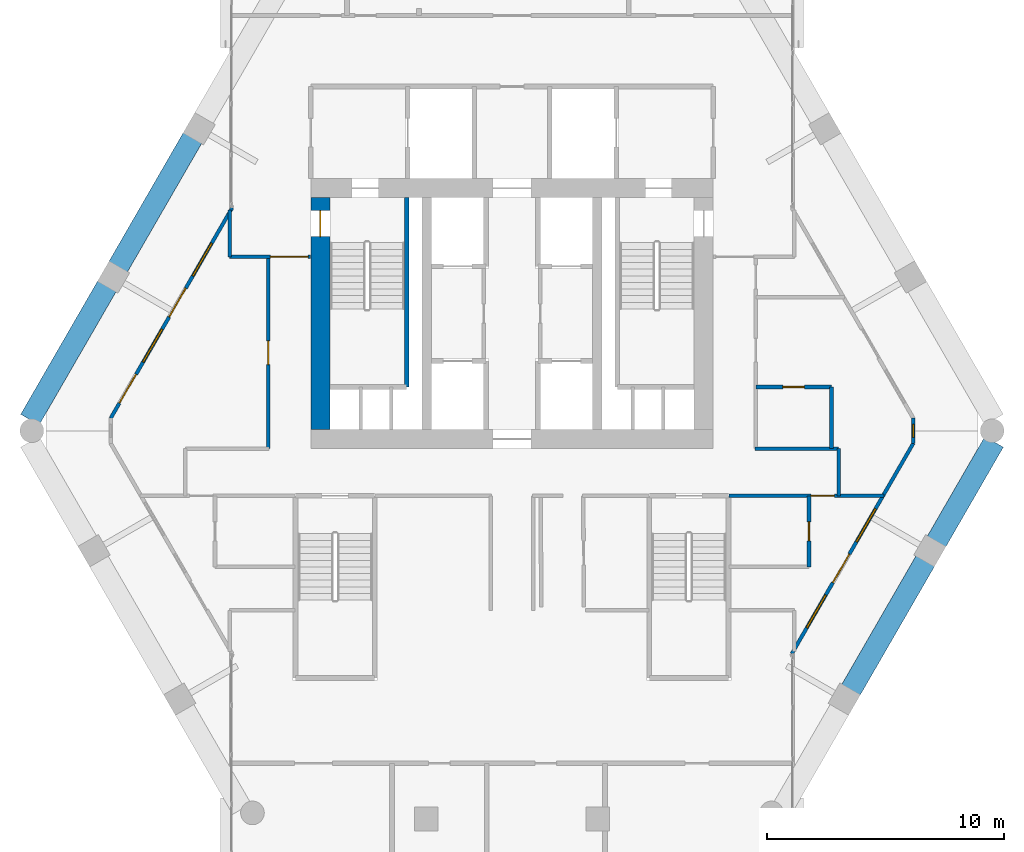
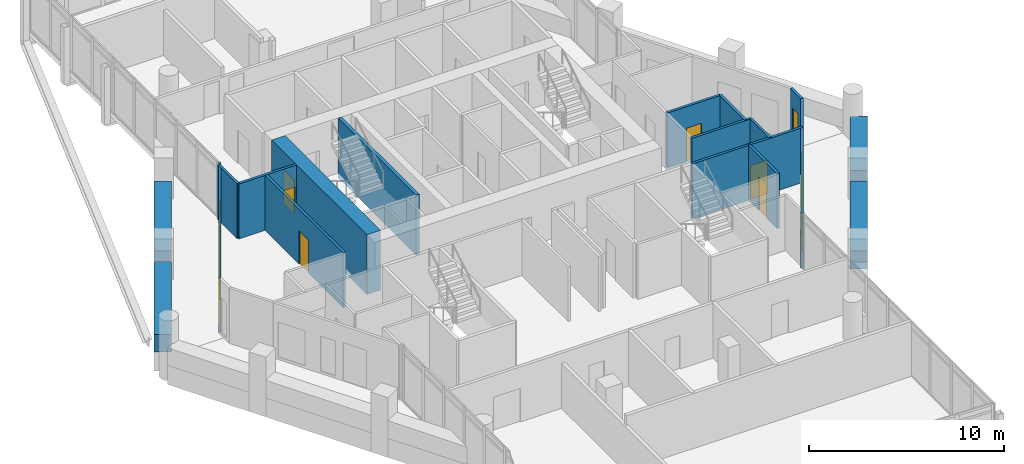
# One storey, part 33 of 38: 18 walls, 9 doors, 5 windows, 14 openings.
"""IFC4 building model written with IfcOpenShell, lengths in metres."""

from ifc_helpers import new_model, si_unit, direction, frame, frame_2d, origin, place, context, subcontext, project, spatial, rectangle, extrude, material, layer, layer_set, type_object, element, fill, save


model = new_model("IFC4")

# Units and contexts
model_context = context("Model", 3, precision=1e-05, world=origin(), true_north=direction((0.0, 1.0)))
body_context = subcontext(model_context, "Body", "Model", "MODEL_VIEW")
ifc_project = project(units=[si_unit("LENGTHUNIT", "METRE"), si_unit("AREAUNIT", "SQUARE_METRE"), si_unit("VOLUMEUNIT", "CUBIC_METRE"), si_unit("PLANEANGLEUNIT", "RADIAN"), si_unit("MASSUNIT", "GRAM", prefix="KILO")], contexts=[model_context])

# Site, building, storey
site_placement = place(None, origin())
site = spatial("IfcSite", under=ifc_project, at=site_placement, CompositionType="ELEMENT")
building_placement = place(site_placement, origin())
building = spatial("IfcBuilding", under=site, at=building_placement, Name="Ostrander Bayou Hotel Tower", CompositionType="ELEMENT")
storey_placement = place(building_placement, frame((0.0, 0.0, 194.5)))
storey = spatial("IfcBuildingStorey", under=building, at=storey_placement, Name="L48", CompositionType="ELEMENT", Elevation=194.5)

# Wall, opening, door
ifc_material_1 = material(Name="Concrete f'c 60 MPa", Category="concrete")
ifc_layer_1 = layer(ifc_material_1, 0.800048828125)
ifc_layer_set_1 = layer_set([ifc_layer_1], Name="CW8 core spine wall 800 mm f'c 60 MPa")
wall_type_1 = type_object("IfcWallType", Name="CW8 core spine wall 800 mm f'c 60 MPa", PredefinedType="SHEAR", material=ifc_layer_set_1)
wall_1_placement = place(storey_placement, frame((-8.10009765625, -0.89990234375, -0.300048828125), z_axis=(0.0, 0.0, 1.0), x_axis=(0.0, 1.0, 0.0)))
wall_1 = element("IfcWall", 1, at=wall_1_placement, inside=storey, type_object=wall_type_1, Name="CW8 L48 W", PredefinedType="SHEAR", context=body_context, shape_type="SweptSolid", body=[
    extrude(rectangle(XDim=9.7998046875, YDim=0.800048828125, at=frame_2d((4.89990234375, 0.0))), origin(), (0.0, 0.0, 1.0), 3.75),
])
opening_1_placement = place(wall_1_placement, frame((8.14990234375, 0.0, 0.0)))
opening_1 = element("IfcOpeningElement", 2, at=opening_1_placement, cuts=wall_1, Name="Opening T48-008", PredefinedType="OPENING", context=body_context, shape_type="SweptSolid", body=[
    extrude(rectangle(XDim=1.10009765625, YDim=2.10009765625, at=frame_2d((0.550048828125, 1.050048828125))), frame((0.0, 0.39990234375, 0.0), z_axis=(0.0, -1.0, 0.0), x_axis=(1.0, 0.0, 0.0)), (0.0, 0.0, 1.0), 0.800048828125),
])
ifc_material_2 = material(Name="Timber door leaf", Category="wood")
door_type_1 = type_object("IfcDoorType", Name="D5 stair door 1100 x 2100 mm, 90 minute", OperationType="SINGLE_SWING_LEFT", PredefinedType="DOOR", material=ifc_material_2)
door_1_placement = place(opening_1_placement, origin())
door_1 = element("IfcDoor", 3, at=door_1_placement, inside=storey, type_object=door_type_1, Name="dr:L48:008", OperationType="SINGLE_SWING_RIGHT", OverallHeight=2.10009765625, OverallWidth=1.10009765625, PredefinedType="DOOR", context=body_context, shape_type="SweptSolid", body=[
    extrude(rectangle(XDim=1.10009765625, YDim=2.10009765625, at=frame_2d((0.550048828125, 1.050048828125))), frame((0.0, 0.02490234375, 0.0), z_axis=(0.0, -1.0, 0.0), x_axis=(1.0, 0.0, 0.0)), (0.0, 0.0, 1.0), 0.050048828125),
])
fill(opening_1, door_1)

# Wall, openings, doors, windows
ifc_material_3 = material(Name="Aluminium framed insulated wall", Category="aluminium")
ifc_layer_2 = layer(ifc_material_3, 0.14990234375)
ifc_layer_set_2 = layer_set([ifc_layer_2], Name="GW1 glass-line wall 150 mm")
wall_type_2 = type_object("IfcWallType", Name="GW1 glass-line wall 150 mm", PredefinedType="SOLIDWALL", material=ifc_layer_set_2)
wall_2_placement = place(storey_placement, frame((-11.823974609375, 8.471923828125, 0.0), z_axis=(0.0, 0.0, 1.0), x_axis=(-0.499996992154, -0.866027140358, 0.0)))
wall_2 = element("IfcWall", 4, at=wall_2_placement, inside=storey, type_object=wall_type_2, Name="GW1 L48 NW 1", PredefinedType="SOLIDWALL", context=body_context, shape_type="SweptSolid", body=[
    extrude(rectangle(XDim=10.263671875, YDim=0.14990234375, at=frame_2d((5.1318359375, 0.0))), origin(), (0.0, 0.0, 1.0), 3.449951171875),
])
opening_2_placement = place(wall_2_placement, frame((1.72509765625, 0.0, 0.14990234375)))
opening_2 = element("IfcOpeningElement", 5, at=opening_2_placement, cuts=wall_2, Name="Opening W9", PredefinedType="OPENING", context=body_context, shape_type="SweptSolid", body=[
    extrude(rectangle(XDim=1.60009765625, YDim=2.199951171875, at=frame_2d((0.800048828125, 1.10009765625))), frame((0.0, 0.074951171875, 0.0), z_axis=(0.0, -1.0, 0.0), x_axis=(1.0, 0.0, 0.0)), (0.0, 0.0, 1.0), 0.14990234375),
])
opening_3_placement = place(wall_2_placement, frame((3.925048828125, 0.0, 0.0)))
opening_3 = element("IfcOpeningElement", 6, at=opening_3_placement, cuts=wall_2, Name="Opening T48-800", PredefinedType="OPENING", context=body_context, shape_type="SweptSolid", body=[
    extrude(rectangle(XDim=1.39990234375, YDim=2.39990234375, at=frame_2d((0.699951171875, 1.199951171875))), frame((0.0, 0.074951171875, 0.0), z_axis=(0.0, -1.0, 0.0), x_axis=(1.0, 0.0, 0.0)), (0.0, 0.0, 1.0), 0.14990234375),
])
opening_4_placement = place(wall_2_placement, frame((5.925048828125, 0.0, 0.14990234375)))
opening_4 = element("IfcOpeningElement", 7, at=opening_4_placement, cuts=wall_2, Name="Opening W9", PredefinedType="OPENING", context=body_context, shape_type="SweptSolid", body=[
    extrude(rectangle(XDim=1.60009765625, YDim=2.199951171875, at=frame_2d((0.800048828125, 1.10009765625))), frame((0.0, 0.074951171875, 0.0), z_axis=(0.0, -1.0, 0.0), x_axis=(1.0, 0.0, 0.0)), (0.0, 0.0, 1.0), 0.14990234375),
])
opening_5_placement = place(wall_2_placement, frame((8.125, 0.0, 0.0)))
opening_5 = element("IfcOpeningElement", 8, at=opening_5_placement, cuts=wall_2, Name="Opening T48-801", PredefinedType="OPENING", context=body_context, shape_type="SweptSolid", body=[
    extrude(rectangle(XDim=1.39990234375, YDim=2.39990234375, at=frame_2d((0.699951171875, 1.199951171875))), frame((0.0, 0.074951171875, 0.0), z_axis=(0.0, -1.0, 0.0), x_axis=(1.0, 0.0, 0.0)), (0.0, 0.0, 1.0), 0.14990234375),
])
ifc_material_4 = material(Name="Aluminium and clear glass", Category="aluminium")
door_type_2 = type_object("IfcDoorType", Name="SD3 sliding glass door 1400 mm, zone 3", OperationType="SLIDING_TO_LEFT", PredefinedType="DOOR", material=ifc_material_4)
door_2_placement = place(opening_3_placement, origin())
door_2 = element("IfcDoor", 9, at=door_2_placement, inside=storey, type_object=door_type_2, Name="SD3 L48 NW 3", OperationType="SLIDING_TO_LEFT", OverallHeight=2.39990234375, OverallWidth=1.39990234375, PredefinedType="DOOR", context=body_context, shape_type="SweptSolid", body=[
    extrude(rectangle(XDim=1.39990234375, YDim=2.39990234375, at=frame_2d((0.699951171875, 1.199951171875))), frame((0.0, 0.02490234375, 0.0), z_axis=(0.0, -1.0, 0.0), x_axis=(1.0, 0.0, 0.0)), (0.0, 0.0, 1.0), 0.050048828125),
])
fill(opening_3, door_2)
door_3_placement = place(opening_5_placement, origin())
door_3 = element("IfcDoor", 10, at=door_3_placement, inside=storey, type_object=door_type_2, Name="SD3 L48 NW 4", OperationType="SLIDING_TO_RIGHT", OverallHeight=2.39990234375, OverallWidth=1.39990234375, PredefinedType="DOOR", context=body_context, shape_type="SweptSolid", body=[
    extrude(rectangle(XDim=1.39990234375, YDim=2.39990234375, at=frame_2d((0.699951171875, 1.199951171875))), frame((0.0, 0.02490234375, 0.0), z_axis=(0.0, -1.0, 0.0), x_axis=(1.0, 0.0, 0.0)), (0.0, 0.0, 1.0), 0.050048828125),
])
fill(opening_5, door_3)
ifc_material_5 = material(Name="Aluminium and clear glass", Category="aluminium")
window_type_1 = type_object("IfcWindowType", Name="W9 fixed window 1600 mm, bar storeys, zone 3", PartitioningType="SINGLE_PANEL", PredefinedType="WINDOW", material=ifc_material_5)
window_1_placement = place(opening_2_placement, origin())
window_1 = element("IfcWindow", 11, at=window_1_placement, inside=storey, type_object=window_type_1, Name="W9 L48 NW 3", OverallHeight=2.199951171875, OverallWidth=1.60009765625, PartitioningType="SINGLE_PANEL", PredefinedType="WINDOW", context=body_context, shape_type="SweptSolid", body=[
    extrude(rectangle(XDim=1.60009765625, YDim=2.199951171875, at=frame_2d((0.800048828125, 1.10009765625))), frame((0.0, 0.030029296875, 0.0), z_axis=(0.0, -1.0, 0.0), x_axis=(1.0, 0.0, 0.0)), (0.0, 0.0, 1.0), 0.06005859375),
])
fill(opening_2, window_1)
window_2_placement = place(opening_4_placement, origin())
window_2 = element("IfcWindow", 12, at=window_2_placement, inside=storey, type_object=window_type_1, Name="W9 L48 NW 4", OverallHeight=2.199951171875, OverallWidth=1.60009765625, PartitioningType="SINGLE_PANEL", PredefinedType="WINDOW", context=body_context, shape_type="SweptSolid", body=[
    extrude(rectangle(XDim=1.60009765625, YDim=2.199951171875, at=frame_2d((0.800048828125, 1.10009765625))), frame((0.0, 0.030029296875, 0.0), z_axis=(0.0, -1.0, 0.0), x_axis=(1.0, 0.0, 0.0)), (0.0, 0.0, 1.0), 0.06005859375),
])
fill(opening_4, window_2)

# Wall, openings, door, windows
wall_3_placement = place(storey_placement, frame((11.823974609375, -10.370361328125, 0.0), z_axis=(0.0, 0.0, 1.0), x_axis=(0.499996992154, 0.866027140358, 0.0)))
wall_3 = element("IfcWall", 13, at=wall_3_placement, inside=storey, type_object=wall_type_2, Name="GW1 L48 SE 1", PredefinedType="SOLIDWALL", context=body_context, shape_type="SweptSolid", body=[
    extrude(rectangle(XDim=10.263671875, YDim=0.14990234375, at=frame_2d((5.1318359375, 0.0))), origin(), (0.0, 0.0, 1.0), 3.449951171875),
])
opening_6_placement = place(wall_3_placement, frame((1.26904296875, 0.0, 0.14990234375)))
opening_6 = element("IfcOpeningElement", 14, at=opening_6_placement, cuts=wall_3, Name="Opening W9", PredefinedType="OPENING", context=body_context, shape_type="SweptSolid", body=[
    extrude(rectangle(XDim=1.60009765625, YDim=2.199951171875, at=frame_2d((0.800048828125, 1.10009765625))), frame((0.0, 0.074951171875, 0.0), z_axis=(0.0, -1.0, 0.0), x_axis=(1.0, 0.0, 0.0)), (0.0, 0.0, 1.0), 0.14990234375),
])
opening_7_placement = place(wall_3_placement, frame((3.468994140625, 0.0, 0.0)))
opening_7 = element("IfcOpeningElement", 15, at=opening_7_placement, cuts=wall_3, Name="Opening T48-803", PredefinedType="OPENING", context=body_context, shape_type="SweptSolid", body=[
    extrude(rectangle(XDim=1.39990234375, YDim=2.39990234375, at=frame_2d((0.699951171875, 1.199951171875))), frame((0.0, 0.074951171875, 0.0), z_axis=(0.0, -1.0, 0.0), x_axis=(1.0, 0.0, 0.0)), (0.0, 0.0, 1.0), 0.14990234375),
])
opening_8_placement = place(wall_3_placement, frame((5.468994140625, 0.0, 0.14990234375)))
opening_8 = element("IfcOpeningElement", 16, at=opening_8_placement, cuts=wall_3, Name="Opening W9", PredefinedType="OPENING", context=body_context, shape_type="SweptSolid", body=[
    extrude(rectangle(XDim=1.60009765625, YDim=2.199951171875, at=frame_2d((0.800048828125, 1.10009765625))), frame((0.0, 0.074951171875, 0.0), z_axis=(0.0, -1.0, 0.0), x_axis=(1.0, 0.0, 0.0)), (0.0, 0.0, 1.0), 0.14990234375),
])
door_4_placement = place(opening_7_placement, origin())
door_4 = element("IfcDoor", 17, at=door_4_placement, inside=storey, type_object=door_type_2, Name="SD3 L48 SE 2", OperationType="SLIDING_TO_RIGHT", OverallHeight=2.39990234375, OverallWidth=1.39990234375, PredefinedType="DOOR", context=body_context, shape_type="SweptSolid", body=[
    extrude(rectangle(XDim=1.39990234375, YDim=2.39990234375, at=frame_2d((0.699951171875, 1.199951171875))), frame((0.0, 0.02490234375, 0.0), z_axis=(0.0, -1.0, 0.0), x_axis=(1.0, 0.0, 0.0)), (0.0, 0.0, 1.0), 0.050048828125),
])
fill(opening_7, door_4)
window_3_placement = place(opening_6_placement, origin())
window_3 = element("IfcWindow", 18, at=window_3_placement, inside=storey, type_object=window_type_1, Name="W9 L48 SE 2", OverallHeight=2.199951171875, OverallWidth=1.60009765625, PartitioningType="SINGLE_PANEL", PredefinedType="WINDOW", context=body_context, shape_type="SweptSolid", body=[
    extrude(rectangle(XDim=1.60009765625, YDim=2.199951171875, at=frame_2d((0.800048828125, 1.10009765625))), frame((0.0, 0.030029296875, 0.0), z_axis=(0.0, -1.0, 0.0), x_axis=(1.0, 0.0, 0.0)), (0.0, 0.0, 1.0), 0.06005859375),
])
fill(opening_6, window_3)
window_4_placement = place(opening_8_placement, origin())
window_4 = element("IfcWindow", 19, at=window_4_placement, inside=storey, type_object=window_type_1, Name="W9 L48 SE 3", OverallHeight=2.199951171875, OverallWidth=1.60009765625, PartitioningType="SINGLE_PANEL", PredefinedType="WINDOW", context=body_context, shape_type="SweptSolid", body=[
    extrude(rectangle(XDim=1.60009765625, YDim=2.199951171875, at=frame_2d((0.800048828125, 1.10009765625))), frame((0.0, 0.030029296875, 0.0), z_axis=(0.0, -1.0, 0.0), x_axis=(1.0, 0.0, 0.0)), (0.0, 0.0, 1.0), 0.06005859375),
])
fill(opening_8, window_4)

# Wall, opening, window
wall_4_placement = place(storey_placement, frame((16.955810546875, -1.481689453125, 0.0), z_axis=(0.0, 0.0, 1.0), x_axis=(0.0, 1.0, 0.0)))
wall_4 = element("IfcWall", 20, at=wall_4_placement, inside=storey, type_object=wall_type_2, Name="GW1 L48 corner 5", PredefinedType="SOLIDWALL", context=body_context, shape_type="SweptSolid", body=[
    extrude(rectangle(XDim=1.06494140625, YDim=0.14990234375, at=frame_2d((0.532470703125, 0.0))), origin(), (0.0, 0.0, 1.0), 3.449951171875),
])
opening_9_placement = place(wall_4_placement, frame((0.257568359375, 0.0, 0.14990234375)))
opening_9 = element("IfcOpeningElement", 21, at=opening_9_placement, cuts=wall_4, Name="Opening W19", PredefinedType="OPENING", context=body_context, shape_type="SweptSolid", body=[
    extrude(rectangle(XDim=0.550048828125, YDim=2.199951171875, at=frame_2d((0.27490234375, 1.10009765625))), frame((0.0, 0.074951171875, 0.0), z_axis=(0.0, -1.0, 0.0), x_axis=(1.0, 0.0, 0.0)), (0.0, 0.0, 1.0), 0.14990234375),
])
ifc_material_6 = material(Name="Aluminium and clear glass", Category="aluminium")
window_type_2 = type_object("IfcWindowType", Name="W19 corner window 550 mm", PartitioningType="SINGLE_PANEL", PredefinedType="WINDOW", material=ifc_material_6)
window_5_placement = place(opening_9_placement, origin())
window_5 = element("IfcWindow", 22, at=window_5_placement, inside=storey, type_object=window_type_2, Name="W19 L48 corner 5", OverallHeight=2.199951171875, OverallWidth=0.550048828125, PartitioningType="SINGLE_PANEL", PredefinedType="WINDOW", context=body_context, shape_type="SweptSolid", body=[
    extrude(rectangle(XDim=0.550048828125, YDim=2.199951171875, at=frame_2d((0.27490234375, 1.10009765625))), frame((0.0, 0.030029296875, 0.0), z_axis=(0.0, -1.0, 0.0), x_axis=(1.0, 0.0, 0.0)), (0.0, 0.0, 1.0), 0.06005859375),
])
fill(opening_9, window_5)

# Walls
ifc_material_7 = material(Name="Concrete f'c 40 MPa", Category="concrete")
ifc_layer_3 = layer(ifc_material_7, 0.89990234375)
ifc_layer_set_3 = layer_set([ifc_layer_3], Name="PA1 stone-faced parapet 900 mm")
wall_type_3 = type_object("IfcWallType", Name="PA1 stone-faced parapet 900 mm", PredefinedType="PARAPET", material=ifc_layer_set_3)
wall_5_placement = place(storey_placement, frame((-13.49560546875, 11.4267578125, 0.0), z_axis=(0.0, 0.0, 1.0), x_axis=(-0.499984268907, -0.866034485945, 0.0)))
element("IfcWall", 23, at=wall_5_placement, inside=storey, type_object=wall_type_3, Name="PA1 L48 NW-2", PredefinedType="PARAPET", context=body_context, shape_type="SweptSolid", body=[
    extrude(rectangle(XDim=6.296142578125, YDim=0.89990234375, at=frame_2d((3.14794921875, 0.0))), origin(), (0.0, 0.0, 1.0), 1.10009765625),
])
wall_6_placement = place(storey_placement, frame((-17.113525390625, 5.159912109375, 0.0), z_axis=(0.0, 0.0, 1.0), x_axis=(-0.500022104698, -0.866012641255, 0.0)))
element("IfcWall", 24, at=wall_6_placement, inside=storey, type_object=wall_type_3, Name="PA1 L48 NW-3", PredefinedType="PARAPET", context=body_context, shape_type="SweptSolid", body=[
    extrude(rectangle(XDim=6.511962890625, YDim=0.89990234375, at=frame_2d((3.255859375, 0.0))), origin(), (0.0, 0.0, 1.0), 1.10009765625),
])
ifc_material_8 = material(Name="Limestone masonry", Category="masonry")
ifc_layer_4 = layer(ifc_material_8, 0.89990234375)
ifc_layer_set_4 = layer_set([ifc_layer_4], Name="PA2 limestone parapet 900 mm")
wall_type_4 = type_object("IfcWallType", Name="PA2 limestone parapet 900 mm", PredefinedType="PARAPET", material=ifc_layer_set_4)
wall_7_placement = place(storey_placement, frame((14.3173828125, -11.9013671875, 0.0), z_axis=(0.0, 0.0, 1.0), x_axis=(0.500013351051, 0.866017695414, 0.0)))
element("IfcWall", 25, at=wall_7_placement, inside=storey, type_object=wall_type_4, Name="PA2 L48 SE-2", PredefinedType="PARAPET", context=body_context, shape_type="SweptSolid", body=[
    extrude(rectangle(XDim=6.296142578125, YDim=0.89990234375, at=frame_2d((3.14794921875, 0.0))), origin(), (0.0, 0.0, 1.0), 1.10009765625),
])
wall_8_placement = place(storey_placement, frame((17.935546875, -5.634521484375, 0.0), z_axis=(0.0, 0.0, 1.0), x_axis=(0.500033586455, 0.866006011767, 0.0)))
element("IfcWall", 26, at=wall_8_placement, inside=storey, type_object=wall_type_4, Name="PA2 L48 SE-3", PredefinedType="PARAPET", context=body_context, shape_type="SweptSolid", body=[
    extrude(rectangle(XDim=4.867919921875, YDim=0.89990234375, at=frame_2d((2.43408203125, 0.0))), origin(), (0.0, 0.0, 1.0), 1.10009765625),
])

# Wall, opening, door
ifc_material_9 = material(Name="Gypsum board partition", Category="finish")
ifc_layer_5 = layer(ifc_material_9, 0.14990234375)
ifc_layer_set_5 = layer_set([ifc_layer_5], Name="PT8 service band wall 150 mm, 1 hour")
wall_type_5 = type_object("IfcWallType", Name="PT8 service band wall 150 mm, 1 hour", PredefinedType="PARTITIONING", material=ifc_layer_set_5)
wall_9_placement = place(storey_placement, frame((9.159912109375, -3.699951171875, 0.0), z_axis=(0.0, 0.0, 1.0), x_axis=(1.0, 0.0, 0.0)))
wall_9 = element("IfcWall", 27, at=wall_9_placement, inside=storey, type_object=wall_type_5, Name="gw:L48:011", PredefinedType="PARTITIONING", context=body_context, shape_type="SweptSolid", body=[
    extrude(rectangle(XDim=6.567138671875, YDim=0.14990234375, at=frame_2d((3.28369140625, 0.0))), origin(), (0.0, 0.0, 1.0), 3.449951171875),
])
opening_10_placement = place(wall_9_placement, frame((3.465087890625, 0.0, 0.0)))
opening_10 = element("IfcOpeningElement", 28, at=opening_10_placement, cuts=wall_9, Name="Opening T48-403", PredefinedType="OPENING", context=body_context, shape_type="SweptSolid", body=[
    extrude(rectangle(XDim=1.0, YDim=2.10009765625, at=frame_2d((0.5, 1.050048828125))), frame((0.0, 0.074951171875, 0.0), z_axis=(0.0, -1.0, 0.0), x_axis=(1.0, 0.0, 0.0)), (0.0, 0.0, 1.0), 0.14990234375),
])
ifc_material_10 = material(Name="Timber door leaf", Category="wood")
door_type_3 = type_object("IfcDoorType", Name="D1 guest room door 1000 x 2100 mm, 30 minute", OperationType="SINGLE_SWING_LEFT", PredefinedType="DOOR", material=ifc_material_10)
door_5_placement = place(opening_10_placement, origin())
door_5 = element("IfcDoor", 29, at=door_5_placement, inside=storey, type_object=door_type_3, Name="dr:L48:403", OperationType="SINGLE_SWING_RIGHT", OverallHeight=2.10009765625, OverallWidth=1.0, PredefinedType="DOOR", context=body_context, shape_type="SweptSolid", body=[
    extrude(rectangle(XDim=1.0, YDim=2.10009765625, at=frame_2d((0.5, 1.050048828125))), frame((0.0, 0.02490234375, 0.0), z_axis=(0.0, -1.0, 0.0), x_axis=(1.0, 0.0, 0.0)), (0.0, 0.0, 1.0), 0.050048828125),
])
fill(opening_10, door_5)

# Wall
wall_10_placement = place(storey_placement, frame((10.260009765625, -1.699951171875, 0.0), z_axis=(0.0, 0.0, 1.0), x_axis=(1.0, 0.0, 0.0)))
element("IfcWall", 30, at=wall_10_placement, inside=storey, type_object=wall_type_5, Name="gw:L48:013", PredefinedType="PARTITIONING", context=body_context, shape_type="SweptSolid", body=[
    extrude(rectangle(XDim=3.5400390625, YDim=0.14990234375, at=frame_2d((1.77001953125, 0.0))), origin(), (0.0, 0.0, 1.0), 3.449951171875),
])

# Wall, opening, door
wall_11_placement = place(storey_placement, frame((10.300048828125, 0.89990234375, 0.0), z_axis=(0.0, 0.0, 1.0), x_axis=(1.0, 0.0, 0.0)))
wall_11 = element("IfcWall", 31, at=wall_11_placement, inside=storey, type_object=wall_type_5, Name="gw:L48:014", PredefinedType="PARTITIONING", context=body_context, shape_type="SweptSolid", body=[
    extrude(rectangle(XDim=3.199951171875, YDim=0.14990234375, at=frame_2d((1.60009765625, 0.0))), origin(), (0.0, 0.0, 1.0), 3.449951171875),
])
opening_11_placement = place(wall_11_placement, frame((1.14990234375, 0.0, 0.0)))
opening_11 = element("IfcOpeningElement", 32, at=opening_11_placement, cuts=wall_11, Name="Opening T48-407", PredefinedType="OPENING", context=body_context, shape_type="SweptSolid", body=[
    extrude(rectangle(XDim=0.89990234375, YDim=2.10009765625, at=frame_2d((0.449951171875, 1.050048828125))), frame((0.0, 0.074951171875, 0.0), z_axis=(0.0, -1.0, 0.0), x_axis=(1.0, 0.0, 0.0)), (0.0, 0.0, 1.0), 0.14990234375),
])
ifc_material_11 = material(Name="Timber door leaf", Category="wood")
door_type_4 = type_object("IfcDoorType", Name="D8 room door 900 x 2100 mm", OperationType="SINGLE_SWING_LEFT", PredefinedType="DOOR", material=ifc_material_11)
door_6_placement = place(opening_11_placement, origin())
door_6 = element("IfcDoor", 33, at=door_6_placement, inside=storey, type_object=door_type_4, Name="dr:L48:407", OperationType="SINGLE_SWING_LEFT", OverallHeight=2.10009765625, OverallWidth=0.89990234375, PredefinedType="DOOR", context=body_context, shape_type="SweptSolid", body=[
    extrude(rectangle(XDim=0.89990234375, YDim=2.10009765625, at=frame_2d((0.449951171875, 1.050048828125))), frame((0.0, 0.02490234375, 0.0), z_axis=(0.0, -1.0, 0.0), x_axis=(1.0, 0.0, 0.0)), (0.0, 0.0, 1.0), 0.050048828125),
])
fill(opening_11, door_6)

wall_12_placement = place(storey_placement, frame((-11.929931640625, 6.39990234375, 0.0), z_axis=(0.0, 0.0, 1.0), x_axis=(1.0, 0.0, 0.0)))
wall_12 = element("IfcWall", 34, at=wall_12_placement, inside=storey, type_object=wall_type_5, Name="gw:L48:016", PredefinedType="PARTITIONING", context=body_context, shape_type="SweptSolid", body=[
    extrude(rectangle(XDim=3.419921875, YDim=0.14990234375, at=frame_2d((1.7099609375, 0.0))), origin(), (0.0, 0.0, 1.0), 3.449951171875),
])
opening_12_placement = place(wall_12_placement, frame((1.719970703125, 0.0, 0.0)))
opening_12 = element("IfcOpeningElement", 35, at=opening_12_placement, cuts=wall_12, Name="Opening T48-1211", PredefinedType="OPENING", context=body_context, shape_type="SweptSolid", body=[
    extrude(rectangle(XDim=1.60009765625, YDim=2.10009765625, at=frame_2d((0.800048828125, 1.050048828125))), frame((0.0, 0.074951171875, 0.0), z_axis=(0.0, -1.0, 0.0), x_axis=(1.0, 0.0, 0.0)), (0.0, 0.0, 1.0), 0.14990234375),
])
ifc_material_12 = material(Name="Timber door leaf", Category="wood")
door_type_5 = type_object("IfcDoorType", Name="D13 double door 1600 x 2100 mm, 1 hour", OperationType="SINGLE_SWING_LEFT", PredefinedType="DOOR", material=ifc_material_12)
door_7_placement = place(opening_12_placement, origin())
door_7 = element("IfcDoor", 36, at=door_7_placement, inside=storey, type_object=door_type_5, Name="dr:L48:1211", OperationType="DOUBLE_DOOR_SINGLE_SWING", OverallHeight=2.10009765625, OverallWidth=1.60009765625, PredefinedType="DOOR", context=body_context, shape_type="SweptSolid", body=[
    extrude(rectangle(XDim=1.60009765625, YDim=2.10009765625, at=frame_2d((0.800048828125, 1.050048828125))), frame((0.0, 0.02490234375, 0.0), z_axis=(0.0, -1.0, 0.0), x_axis=(1.0, 0.0, 0.0)), (0.0, 0.0, 1.0), 0.050048828125),
])
fill(opening_12, door_7)

# Walls
wall_13_placement = place(storey_placement, frame((13.800048828125, -3.699951171875, 0.0), z_axis=(0.0, 0.0, 1.0), x_axis=(0.0, 1.0, 0.0)))
element("IfcWall", 37, at=wall_13_placement, inside=storey, type_object=wall_type_5, Name="gw:L48:018", PredefinedType="PARTITIONING", context=body_context, shape_type="SweptSolid", body=[
    extrude(rectangle(XDim=2.0, YDim=0.14990234375, at=frame_2d((1.0, 0.0))), origin(), (0.0, 0.0, 1.0), 3.449951171875),
])
wall_14_placement = place(storey_placement, frame((13.5, -1.699951171875, 0.0), z_axis=(0.0, 0.0, 1.0), x_axis=(0.0, 1.0, 0.0)))
element("IfcWall", 38, at=wall_14_placement, inside=storey, type_object=wall_type_5, Name="gw:L48:019", PredefinedType="PARTITIONING", context=body_context, shape_type="SweptSolid", body=[
    extrude(rectangle(XDim=2.599853515625, YDim=0.14990234375, at=frame_2d((1.2998046875, 0.0))), origin(), (0.0, 0.0, 1.0), 3.449951171875),
])

# Wall, opening, door
wall_15_placement = place(storey_placement, frame((12.550048828125, -6.699951171875, 0.0), z_axis=(0.0, 0.0, 1.0), x_axis=(0.0, 1.0, 0.0)))
wall_15 = element("IfcWall", 39, at=wall_15_placement, inside=storey, type_object=wall_type_5, Name="gw:L48:020", PredefinedType="PARTITIONING", context=body_context, shape_type="SweptSolid", body=[
    extrude(rectangle(XDim=3.0, YDim=0.14990234375, at=frame_2d((1.5, 0.0))), origin(), (0.0, 0.0, 1.0), 3.449951171875),
])
opening_13_placement = place(wall_15_placement, frame((1.10009765625, 0.0, 0.0)))
opening_13 = element("IfcOpeningElement", 40, at=opening_13_placement, cuts=wall_15, Name="Opening T48-404", PredefinedType="OPENING", context=body_context, shape_type="SweptSolid", body=[
    extrude(rectangle(XDim=0.800048828125, YDim=2.10009765625, at=frame_2d((0.39990234375, 1.050048828125))), frame((0.0, 0.074951171875, 0.0), z_axis=(0.0, -1.0, 0.0), x_axis=(1.0, 0.0, 0.0)), (0.0, 0.0, 1.0), 0.14990234375),
])
ifc_material_13 = material(Name="Timber door leaf", Category="wood")
door_type_6 = type_object("IfcDoorType", Name="D2 bathroom door 800 x 2100 mm", OperationType="SINGLE_SWING_LEFT", PredefinedType="DOOR", material=ifc_material_13)
door_8_placement = place(opening_13_placement, origin())
door_8 = element("IfcDoor", 41, at=door_8_placement, inside=storey, type_object=door_type_6, Name="dr:L48:404", OperationType="SINGLE_SWING_RIGHT", OverallHeight=2.10009765625, OverallWidth=0.800048828125, PredefinedType="DOOR", context=body_context, shape_type="SweptSolid", body=[
    extrude(rectangle(XDim=0.800048828125, YDim=2.10009765625, at=frame_2d((0.39990234375, 1.050048828125))), frame((0.0, 0.02490234375, 0.0), z_axis=(0.0, -1.0, 0.0), x_axis=(1.0, 0.0, 0.0)), (0.0, 0.0, 1.0), 0.050048828125),
])
fill(opening_13, door_8)

wall_16_placement = place(storey_placement, frame((-10.300048828125, -1.699951171875, 0.0), z_axis=(0.0, 0.0, 1.0), x_axis=(0.0, 1.0, 0.0)))
wall_16 = element("IfcWall", 42, at=wall_16_placement, inside=storey, type_object=wall_type_5, Name="gw:L48:026", PredefinedType="PARTITIONING", context=body_context, shape_type="SweptSolid", body=[
    extrude(rectangle(XDim=8.099853515625, YDim=0.14990234375, at=frame_2d((4.0498046875, 0.0))), origin(), (0.0, 0.0, 1.0), 3.449951171875),
])
opening_14_placement = place(wall_16_placement, frame((3.550048828125, 0.0, 0.0)))
opening_14 = element("IfcOpeningElement", 43, at=opening_14_placement, cuts=wall_16, Name="Opening T48-405", PredefinedType="OPENING", context=body_context, shape_type="SweptSolid", body=[
    extrude(rectangle(XDim=1.0, YDim=2.10009765625, at=frame_2d((0.5, 1.050048828125))), frame((0.0, 0.074951171875, 0.0), z_axis=(0.0, -1.0, 0.0), x_axis=(1.0, 0.0, 0.0)), (0.0, 0.0, 1.0), 0.14990234375),
])
ifc_material_14 = material(Name="Timber door leaf", Category="wood")
door_type_7 = type_object("IfcDoorType", Name="D15 room door 1000 x 2100 mm", OperationType="SINGLE_SWING_LEFT", PredefinedType="DOOR", material=ifc_material_14)
door_9_placement = place(opening_14_placement, origin())
door_9 = element("IfcDoor", 44, at=door_9_placement, inside=storey, type_object=door_type_7, Name="dr:L48:405", OperationType="SINGLE_SWING_LEFT", OverallHeight=2.10009765625, OverallWidth=1.0, PredefinedType="DOOR", context=body_context, shape_type="SweptSolid", body=[
    extrude(rectangle(XDim=1.0, YDim=2.10009765625, at=frame_2d((0.5, 1.050048828125))), frame((0.0, 0.02490234375, 0.0), z_axis=(0.0, -1.0, 0.0), x_axis=(1.0, 0.0, 0.0)), (0.0, 0.0, 1.0), 0.050048828125),
])
fill(opening_14, door_9)

# Walls
wall_17_placement = place(storey_placement, frame((-11.929931640625, 6.39990234375, 0.0), z_axis=(0.0, 0.0, 1.0), x_axis=(0.0, 1.0, 0.0)))
element("IfcWall", 45, at=wall_17_placement, inside=storey, type_object=wall_type_5, Name="gw:L48:028", PredefinedType="PARTITIONING", context=body_context, shape_type="SweptSolid", body=[
    extrude(rectangle(XDim=1.97802734375, YDim=0.14990234375, at=frame_2d((0.989013671875, 0.0))), origin(), (0.0, 0.0, 1.0), 3.449951171875),
])
ifc_material_15 = material(Name="Concrete f'c 45 MPa", Category="concrete")
ifc_layer_6 = layer(ifc_material_15, 0.199951171875)
ifc_layer_set_6 = layer_set([ifc_layer_6], Name="SW5 stair enclosure wall 200 mm f'c 45 MPa")
wall_type_6 = type_object("IfcWallType", Name="SW5 stair enclosure wall 200 mm f'c 45 MPa", PredefinedType="SOLIDWALL", material=ifc_layer_set_6)
wall_18_placement = place(storey_placement, frame((-4.449951171875, 0.89990234375, -0.300048828125), z_axis=(0.0, 0.0, 1.0), x_axis=(0.0, 1.0, 0.0)))
element("IfcWall", 46, at=wall_18_placement, inside=storey, type_object=wall_type_6, Name="cs:L48:009", PredefinedType="SOLIDWALL", context=body_context, shape_type="SweptSolid", body=[
    extrude(rectangle(XDim=8.0, YDim=0.199951171875, at=frame_2d((4.0, 0.0))), origin(), (0.0, 0.0, 1.0), 3.75),
])

save(model, "model.ifc")
